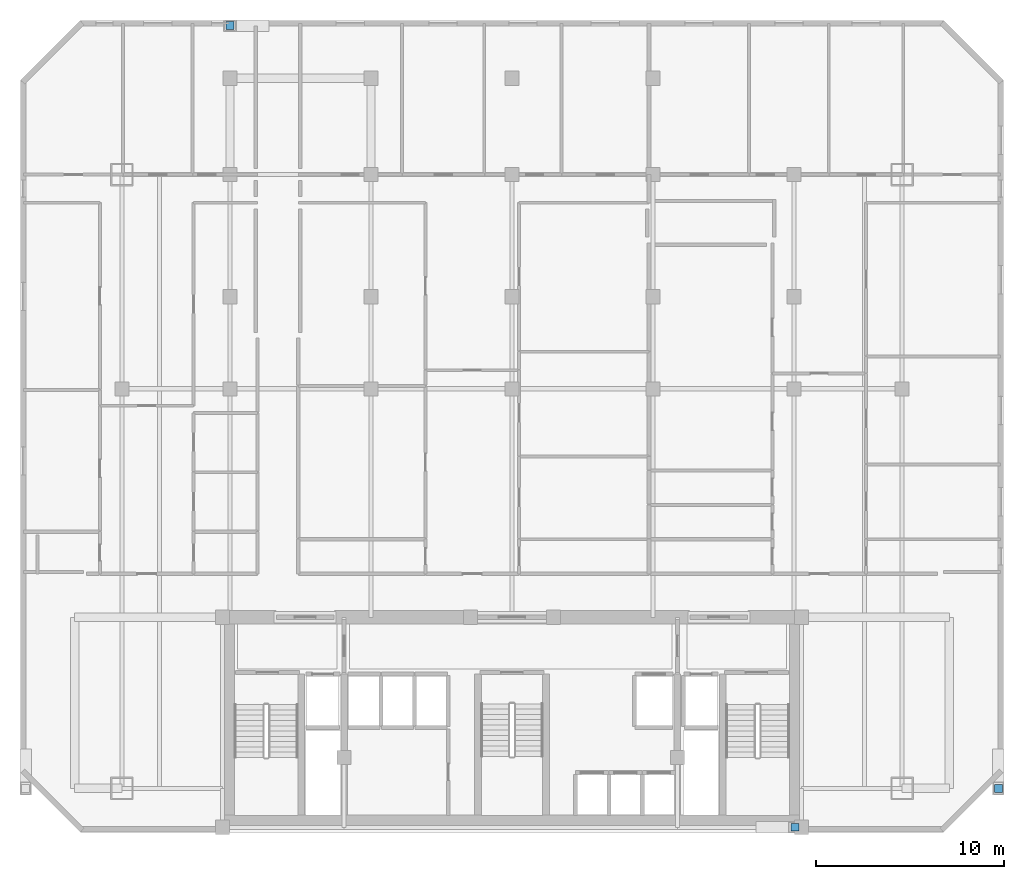
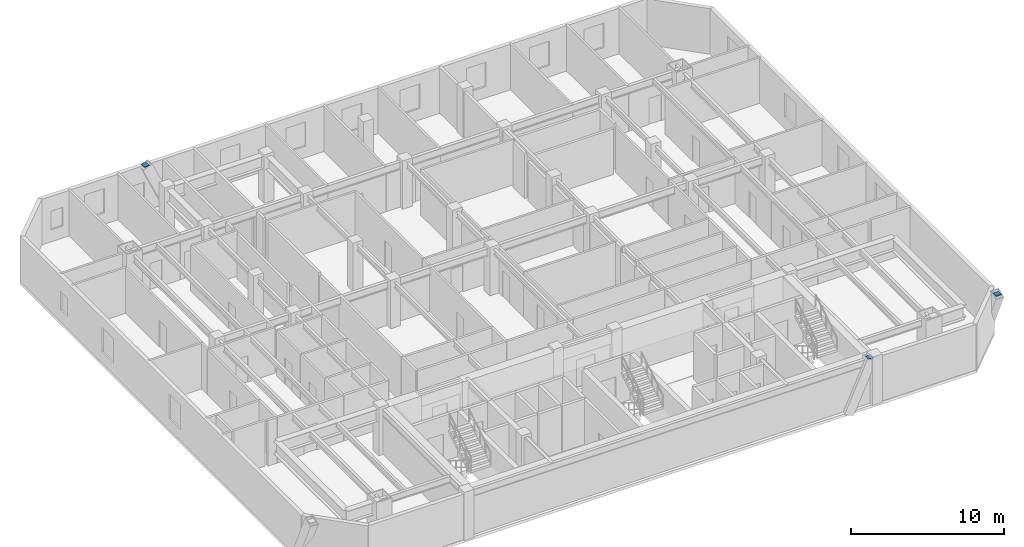
# One storey, part 8 of 9: 3 discrete accessories.
"""IFC4 building model written with IfcOpenShell, lengths in metres."""

from ifc_helpers import new_model, si_unit, direction, frame, origin, origin_2d, place, context, subcontext, project, spatial, rectangle, extrude, material, type_object, element, save


model = new_model("IFC4")

# Units and contexts
model_context = context("Model", 3, precision=1e-05, world=origin(), true_north=direction((0.0, 1.0)))
body_context = subcontext(model_context, "Body", "Model", "MODEL_VIEW")
ifc_project = project(units=[si_unit("LENGTHUNIT", "METRE"), si_unit("AREAUNIT", "SQUARE_METRE"), si_unit("VOLUMEUNIT", "CUBIC_METRE"), si_unit("PLANEANGLEUNIT", "RADIAN"), si_unit("MASSUNIT", "GRAM", prefix="KILO")], contexts=[model_context])

# Site, building, storey
site_placement = place(None, origin())
site = spatial("IfcSite", under=ifc_project, at=site_placement, CompositionType="ELEMENT")
building_placement = place(site_placement, origin())
building = spatial("IfcBuilding", under=site, at=building_placement, Name="Ventersveld Concourse Tower", CompositionType="ELEMENT")
storey_placement = place(building_placement, frame((0.0, 0.0, 152.89990234375)))
storey = spatial("IfcBuildingStorey", under=building, at=storey_placement, Name="L37", CompositionType="ELEMENT", Elevation=152.89990234375)

# Discrete accessories
ifc_material = material(Name="Structural steel S355J2", Category="steel")
discrete_accessory_type = type_object("IfcDiscreteAccessoryType", Name="CONN-BRACE-ECP1", PredefinedType="BRACKET", material=ifc_material)
for number, where, z_axis, x_axis, name in (
    (1, (13.75, 42.919921875, 3.610107421875), (0.0, 0.0, 1.0), (1.0, 0.0, 0.0), "L37 Steel Brace End Connection Plate ECP1-0319"),
    (2, (43.800048828125, 0.280029296875, 3.610107421875), (0.0, 0.0, 1.0), (1.0, 0.0, 0.0), "L37 Steel Brace End Connection Plate ECP1-0323"),
    (3, (54.6201171875, 2.35009765625, 3.610107421875), (0.0, 0.0, 1.0), (1.0, 0.0, 0.0), "L37 Steel Brace End Connection Plate ECP1-0331"),
):
    element("IfcDiscreteAccessory", number, at=place(storey_placement, frame(where, z_axis=z_axis, x_axis=x_axis)), inside=storey, type_object=discrete_accessory_type, Name=name, PredefinedType="BRACKET", context=body_context, shape_type="SweptSolid", body=[
        extrude(rectangle(XDim=0.419921875, YDim=0.419921875, at=origin_2d()), origin(), (0.0, 0.0, 1.0), 0.0400390625),
    ])

save(model, "model.ifc")
